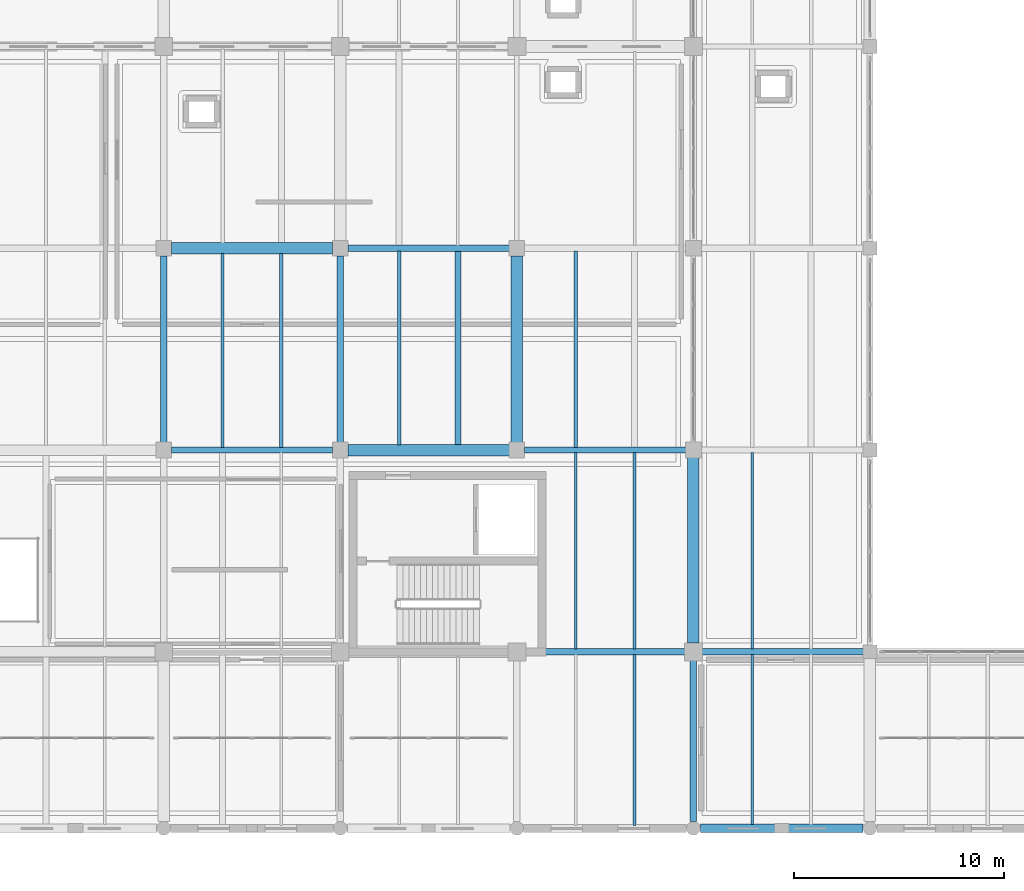
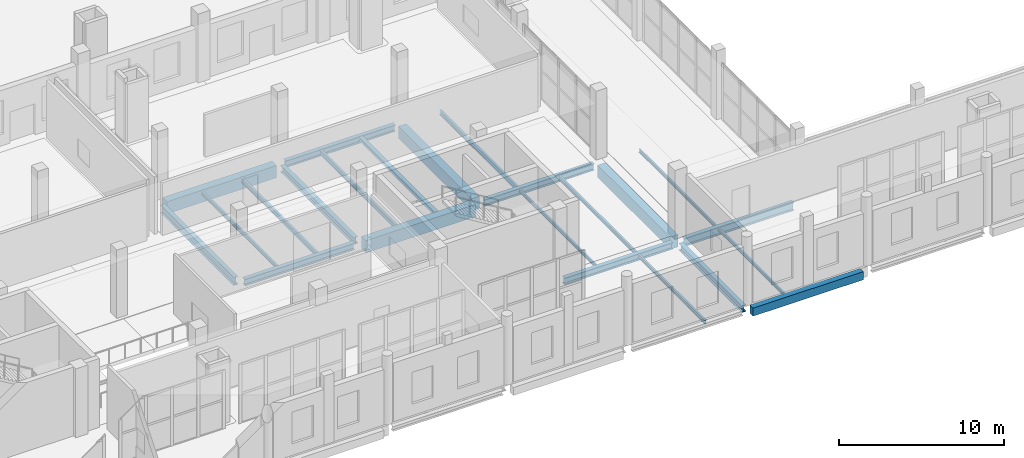
# One storey, part 10 of 73: 23 beams.
"""IFC4 building model written with IfcOpenShell, lengths in metres."""

import ifcopenshell
import ifcopenshell.guid

model = None  # the IFC model being written
_history = None  # IfcOwnerHistory: only IFC2X3 demands one
_inside = {}  # id of a spatial element -> (the spatial element, [elements in it])
_under = {}  # id of a project, library or spatial element -> (it, [spatial elements below it])
_declared = {}  # id of a project -> (the project, [libraries it declares])
_typed = {}  # id of a type object -> (the type object, [elements of that type])
_made_of = {}  # id of a material, layer set ... -> (it, [elements and type objects made of it])


def new_model(schema):
    """Start an empty IFC model of exactly this schema.

    Asked for "IFC4X3", IfcOpenShell would pick the latest addendum, in which some entities
    have other attributes; the version numbers below select the first issue.
    IFC2X3 requires an IfcOwnerHistory on every rooted entity: one is made here for all.
    """
    global model, _history
    if schema == "IFC4X3":
        model = ifcopenshell.file(schema_version=(4, 3, 0, 0))
    else:
        model = ifcopenshell.file(schema=schema)
    _inside.clear()
    _under.clear()
    _declared.clear()
    _typed.clear()
    _made_of.clear()
    _history = None
    if model.schema == "IFC2X3":
        org = make("IfcOrganization", Name="unknown")
        user = make(
            "IfcPersonAndOrganization",
            ThePerson=make("IfcPerson", FamilyName="unknown"),
            TheOrganization=org,
        )
        app = make(
            "IfcApplication",
            ApplicationDeveloper=org,
            Version="unknown",
            ApplicationFullName="unknown",
            ApplicationIdentifier="unknown",
        )
        _history = make(
            "IfcOwnerHistory",
            OwningUser=user,
            OwningApplication=app,
            ChangeAction="ADDED",
            CreationDate=0,
        )
    return model


def make(cls, **values):
    """One entity of the class cls with the attributes given. An attribute that is None is left unset."""
    return model.create_entity(
        cls, **{name: value for name, value in values.items() if value is not None}
    )


def rooted(cls, **values):
    """An entity with a GlobalId (a new one), such as an element, a storey or a relation."""
    return make(cls, GlobalId=ifcopenshell.guid.new(), OwnerHistory=_history, **values)


def si_unit(unit_type, name, prefix=None):
    """IfcSIUnit, for example si_unit("LENGTHUNIT", "METRE", prefix="MILLI")."""
    return make("IfcSIUnit", UnitType=unit_type, Prefix=prefix, Name=name)


def assignment(units):
    """IfcUnitAssignment: the units of a project."""
    return None if units is None else make("IfcUnitAssignment", Units=units)


def point(xyz):
    """IfcCartesianPoint."""
    return None if xyz is None else make("IfcCartesianPoint", Coordinates=xyz)


def direction(xyz):
    """IfcDirection."""
    return None if xyz is None else make("IfcDirection", DirectionRatios=xyz)


def frame(location, z_axis=None, x_axis=None):
    """IfcAxis2Placement3D, a coordinate frame: its origin and axes. An axis left out is left unset."""
    return make(
        "IfcAxis2Placement3D",
        Location=point(location),
        Axis=direction(z_axis),
        RefDirection=direction(x_axis),
    )


def frame_2d(location, x_axis=None):
    """IfcAxis2Placement2D, a coordinate frame in the plane: its origin and x axis."""
    return make(
        "IfcAxis2Placement2D", Location=point(location), RefDirection=direction(x_axis)
    )


def origin():
    """The frame at (0, 0, 0) with its axes left unset."""
    return frame((0.0, 0.0, 0.0))


def origin_2d():
    """The frame at (0, 0) in the plane with its x axis left unset."""
    return frame_2d((0.0, 0.0))


def place(relative_to, where):
    """IfcLocalPlacement: puts the frame where relative to a parent placement (None: the world)."""
    return make(
        "IfcLocalPlacement", PlacementRelTo=relative_to, RelativePlacement=where
    )


def context(
    kind, dimensions, precision=None, world=None, true_north=None, identifier=None
):
    """IfcGeometricRepresentationContext, for example the 3D "Model" context."""
    return make(
        "IfcGeometricRepresentationContext",
        ContextIdentifier=identifier,
        ContextType=kind,
        CoordinateSpaceDimension=dimensions,
        Precision=precision,
        WorldCoordinateSystem=world,
        TrueNorth=true_north,
    )


def subcontext(parent, identifier, kind, view, scale=None):
    """IfcGeometricRepresentationSubContext, for example "Body" below "Model"."""
    return make(
        "IfcGeometricRepresentationSubContext",
        ContextIdentifier=identifier,
        ContextType=kind,
        ParentContext=parent,
        TargetScale=scale,
        TargetView=view,
    )


def project(units=None, contexts=None):
    """IfcProject with its units and contexts."""
    return rooted(
        "IfcProject",
        Name="project",
        RepresentationContexts=contexts,
        UnitsInContext=assignment(units),
    )


def spatial(cls, under=None, at=None, **own):
    """A site, building, storey or space (cls), placed at a placement, below another one or the project."""
    s = rooted(cls, ObjectPlacement=at, **own)
    if under is not None:
        _under.setdefault(under.id(), (under, []))[1].append(s)
    return s


def profile(cls, at=None, kind="AREA", **sizes):
    """A parametric profile (cls). Its sizes go by their IFC names, for example OverallWidth=200.0."""
    return make(cls, ProfileType=kind, Position=at, **sizes)


def rectangle(**sizes):
    """IfcRectangleProfileDef."""
    return profile("IfcRectangleProfileDef", **sizes)


def i_section(**sizes):
    """IfcIShapeProfileDef."""
    return profile("IfcIShapeProfileDef", **sizes)


def extrude(swept, where, along, depth):
    """IfcExtrudedAreaSolid: the profile swept, set in the frame where, extruded along a direction by depth."""
    return make(
        "IfcExtrudedAreaSolid",
        SweptArea=swept,
        Position=where,
        ExtrudedDirection=direction(along),
        Depth=depth,
    )


def shape(context_of_items, identifier, shape_type, items):
    """IfcShapeRepresentation: the items that make up one representation, for example the "Body"."""
    return make(
        "IfcShapeRepresentation",
        ContextOfItems=context_of_items,
        RepresentationIdentifier=identifier,
        RepresentationType=shape_type,
        Items=items,
    )


def material(Name=None, Category=None):
    """IfcMaterial."""
    return make("IfcMaterial", Name=Name, Category=Category)


def material_profile(
    of_material, cross_section, Name=None, Category=None, Priority=None
):
    """IfcMaterialProfile: a cross section and its material."""
    return make(
        "IfcMaterialProfile",
        Name=Name,
        Material=of_material,
        Profile=cross_section,
        Priority=Priority,
        Category=Category,
    )


def profile_set(profiles, Name=None, composite=None):
    """IfcMaterialProfileSet."""
    return make(
        "IfcMaterialProfileSet",
        Name=Name,
        MaterialProfiles=profiles,
        CompositeProfile=composite,
    )


def made_of(thing, what):
    """Note that an element or type object is made of a material, layer set ...; save() writes the relation."""
    if what is not None:
        _made_of.setdefault(what.id(), (what, []))[1].append(thing)
    return thing


def type_object(cls, material=None, **own):
    """A type object (cls), such as IfcWallType, which elements share."""
    return made_of(rooted(cls, **own), material)


def element(
    cls,
    number,
    at=None,
    inside=None,
    cuts=None,
    type_object=None,
    material=None,
    context=None,
    identifier="Body",
    shape_type=None,
    held_by="IfcProductDefinitionShape",
    body=None,
    shapes=None,
    **own,
):
    """One element of the class cls, such as IfcWall. Its Tag is "e" and its number.

    at: its placement. inside: the storey or other place that contains it. cuts: it is an
    opening in that element (IfcRelVoidsElement). A single representation is given by context,
    identifier, shape_type and body (its items); several are given by shapes. held_by: the class
    of the entity that holds the representations. save() writes the other relations.
    """
    e = rooted(cls, Tag="e%d" % number, ObjectPlacement=at, **own)
    if body is not None:
        shapes = [shape(context, identifier, shape_type, body)]
    if shapes is not None:
        e.Representation = make(held_by, Representations=shapes)
    if inside is not None:
        _inside.setdefault(inside.id(), (inside, []))[1].append(e)
    if cuts is not None:
        rooted(
            "IfcRelVoidsElement", RelatingBuildingElement=cuts, RelatedOpeningElement=e
        )
    if type_object is not None:
        _typed.setdefault(type_object.id(), (type_object, []))[1].append(e)
    return made_of(e, material)


def aggregate(whole, parts):
    """IfcRelAggregates: a whole, such as a stair, and the parts it consists of."""
    return rooted("IfcRelAggregates", RelatingObject=whole, RelatedObjects=parts)


def save(model, path):
    """Write the relations noted so far, then the file.

    IfcRelAggregates (storeys below a building ...), IfcRelContainedInSpatialStructure (elements
    in a storey), IfcRelDefinesByType, IfcRelAssociatesMaterial and IfcRelDeclares: one each for
    every whole, place, type object, material and project.
    """
    for whole, parts in _under.values():
        aggregate(whole, parts)
    for where, things in _inside.values():
        rooted(
            "IfcRelContainedInSpatialStructure",
            RelatedElements=things,
            RelatingStructure=where,
        )
    for kind, things in _typed.values():
        rooted("IfcRelDefinesByType", RelatedObjects=things, RelatingType=kind)
    for what, things in _made_of.values():
        rooted("IfcRelAssociatesMaterial", RelatedObjects=things, RelatingMaterial=what)
    for by, libraries in _declared.values():
        rooted("IfcRelDeclares", RelatingContext=by, RelatedDefinitions=libraries)
    model.write(path)


model = new_model("IFC4")

# Units and contexts
model_context = context("Model", 3, precision=1e-05, world=origin(), true_north=direction((0.0, 1.0)))
body_context = subcontext(model_context, "Body", "Model", "MODEL_VIEW")
ifc_project = project(units=[si_unit("LENGTHUNIT", "METRE"), si_unit("AREAUNIT", "SQUARE_METRE"), si_unit("VOLUMEUNIT", "CUBIC_METRE"), si_unit("PLANEANGLEUNIT", "RADIAN"), si_unit("MASSUNIT", "GRAM", prefix="KILO")], contexts=[model_context])

# Site, building, storey
site_placement = place(None, origin())
site = spatial("IfcSite", under=ifc_project, at=site_placement, CompositionType="ELEMENT")
building_placement = place(site_placement, origin())
building = spatial("IfcBuilding", under=site, at=building_placement, Name="Zulmaris Art Gallery", CompositionType="ELEMENT")
storey_placement = place(building_placement, frame((0.0, 0.0, 10.5)))
storey = spatial("IfcBuildingStorey", under=building, at=storey_placement, Name="L02", CompositionType="ELEMENT", Elevation=10.5)

# Beams
ifc_material_1 = material(Name="Steel S355J2", Category="steel")
ifc_material_profile_1 = material_profile(ifc_material_1, i_section(OverallWidth=0.300048828125, OverallDepth=0.489990234375, WebThickness=0.011962890625, FlangeThickness=0.02294921875, FilletRadius=0.027099609375, at=origin_2d()), Name="HEA 500")
ifc_profile_set_1 = profile_set([ifc_material_profile_1], Name="Steel S355J2")
beam_type_1 = type_object("IfcBeamType", Name="BEAM-BM11", PredefinedType="BEAM", material=ifc_profile_set_1)
beam_1_placement = place(storey_placement, frame((74.81005859375, 21.60009765625, -0.64501953125), z_axis=(1.0, 0.0, 0.0), x_axis=(0.0, 1.0, 0.0)))
element("IfcBeam", 1, at=beam_1_placement, inside=storey, type_object=beam_type_1, Name="L02 X-girder (74.4..82.8, y=21.6)", PredefinedType="BEAM", context=body_context, shape_type="SweptSolid", body=[
    extrude(i_section(OverallWidth=0.300048828125, OverallDepth=0.489990234375, WebThickness=0.011962890625, FlangeThickness=0.02294921875, FilletRadius=0.027099609375, at=origin_2d()), origin(), (0.0, 0.0, 1.0), 7.579833984375),
])
for number, where, z_axis, x_axis, name in (
    (2, (74.760009765625, 31.199951171875, -0.64501953125), (1.0, 0.0, 0.0), (0.0, 1.0, 0.0), "L02 X-girder (74.4..82.8, y=31.2)"),
    (3, (66.360107421875, 40.800048828125, -0.64501953125), (1.0, 0.0, 0.0), (0.0, 1.0, 0.0), "L02 X-girder (66.0..74.4, y=40.8)"),
):
    element("IfcBeam", number, at=place(storey_placement, frame(where, z_axis=z_axis, x_axis=x_axis)), inside=storey, type_object=beam_type_1, Name=name, PredefinedType="BEAM", context=body_context, shape_type="SweptSolid", body=[
        extrude(i_section(OverallWidth=0.300048828125, OverallDepth=0.489990234375, WebThickness=0.011962890625, FlangeThickness=0.02294921875, FilletRadius=0.027099609375, at=origin_2d()), origin(), (0.0, 0.0, 1.0), 7.679931640625),
    ])
ifc_material_profile_2 = material_profile(ifc_material_1, i_section(OverallWidth=0.300048828125, OverallDepth=0.5, WebThickness=0.014404296875, FlangeThickness=0.028076171875, FilletRadius=0.027099609375, at=origin_2d()), Name="HEB 500")
ifc_profile_set_2 = profile_set([ifc_material_profile_2], Name="Steel S355J2")
beam_type_2 = type_object("IfcBeamType", Name="BEAM-BM14", PredefinedType="BEAM", material=ifc_profile_set_2)
beam_2_placement = place(storey_placement, frame((57.9599609375, 31.199951171875, -0.64990234375), z_axis=(1.0, 0.0, 0.0), x_axis=(0.0, 1.0, 0.0)))
element("IfcBeam", 4, at=beam_2_placement, inside=storey, type_object=beam_type_2, Name="L02 X-girder (57.6..66.0, y=31.2)", PredefinedType="BEAM", context=body_context, shape_type="SweptSolid", body=[
    extrude(i_section(OverallWidth=0.300048828125, OverallDepth=0.5, WebThickness=0.014404296875, FlangeThickness=0.028076171875, FilletRadius=0.027099609375, at=origin_2d()), origin(), (0.0, 0.0, 1.0), 7.679931640625),
])
beam_3_placement = place(storey_placement, frame((66.0, 31.56005859375, -0.64501953125), z_axis=(0.0, 1.0, 0.0), x_axis=(-1.0, 0.0, 0.0)))
element("IfcBeam", 5, at=beam_3_placement, inside=storey, type_object=beam_type_2, Name="L02 Y-girder (x=66.0, 31.2..40.8)", PredefinedType="BEAM", context=body_context, shape_type="SweptSolid", body=[
    extrude(i_section(OverallWidth=0.300048828125, OverallDepth=0.5, WebThickness=0.014404296875, FlangeThickness=0.028076171875, FilletRadius=0.027099609375, at=origin_2d()), origin(), (0.0, 0.0, 1.0), 8.8798828125),
])
beam_4_placement = place(storey_placement, frame((82.800048828125, 13.534912109375, -0.64501953125), z_axis=(0.0, 1.0, 0.0), x_axis=(-1.0, 0.0, 0.0)))
element("IfcBeam", 6, at=beam_4_placement, inside=storey, type_object=beam_type_2, Name="L02 Y-girder (x=82.8, 13.2..21.6)", PredefinedType="BEAM", context=body_context, shape_type="SweptSolid", body=[
    extrude(i_section(OverallWidth=0.300048828125, OverallDepth=0.5, WebThickness=0.014404296875, FlangeThickness=0.028076171875, FilletRadius=0.027099609375, at=origin_2d()), origin(), (0.0, 0.0, 1.0), 7.655029296875),
])
ifc_material_profile_3 = material_profile(ifc_material_1, i_section(OverallWidth=0.300048828125, OverallDepth=0.60009765625, WebThickness=0.015380859375, FlangeThickness=0.030029296875, FilletRadius=0.027099609375, at=origin_2d()), Name="HEB 600")
ifc_profile_set_3 = profile_set([ifc_material_profile_3], Name="Steel S355J2")
beam_type_3 = type_object("IfcBeamType", Name="BEAM-BM15", PredefinedType="BEAM", material=ifc_profile_set_3)
beam_5_placement = place(storey_placement, frame((83.2099609375, 21.60009765625, -0.699951171875), z_axis=(1.0, 0.0, 0.0), x_axis=(0.0, 1.0, 0.0)))
element("IfcBeam", 7, at=beam_5_placement, inside=storey, type_object=beam_type_3, Name="L02 X-girder (82.8..91.2, y=21.6)", PredefinedType="BEAM", context=body_context, shape_type="SweptSolid", body=[
    extrude(i_section(OverallWidth=0.300048828125, OverallDepth=0.60009765625, WebThickness=0.015380859375, FlangeThickness=0.030029296875, FilletRadius=0.027099609375, at=origin_2d()), origin(), (0.0, 0.0, 1.0), 7.679931640625),
])
beam_6_placement = place(storey_placement, frame((57.60009765625, 31.56005859375, -0.699951171875), z_axis=(0.0, 1.0, 0.0), x_axis=(-1.0, 0.0, 0.0)))
element("IfcBeam", 8, at=beam_6_placement, inside=storey, type_object=beam_type_3, Name="L02 Y-girder (x=57.6, 31.2..40.8)", PredefinedType="BEAM", context=body_context, shape_type="SweptSolid", body=[
    extrude(i_section(OverallWidth=0.300048828125, OverallDepth=0.60009765625, WebThickness=0.015380859375, FlangeThickness=0.030029296875, FilletRadius=0.027099609375, at=origin_2d()), origin(), (0.0, 0.0, 1.0), 8.8798828125),
])
ifc_material_2 = material(Name="Concrete C40/50", Category="concrete")
ifc_material_profile_4 = material_profile(ifc_material_2, rectangle(XDim=0.550048828125, YDim=0.89990234375, at=origin_2d()), Name="RC 550x900")
ifc_profile_set_4 = profile_set([ifc_material_profile_4], Name="Concrete C40/50")
beam_type_4 = type_object("IfcBeamType", Name="BEAM-BM21", PredefinedType="BEAM", material=ifc_profile_set_4)
for number, where, z_axis, x_axis, name in (
    (9, (66.360107421875, 31.199951171875, -0.85009765625), (1.0, 0.0, 0.0), (0.0, 1.0, 0.0), "L02 X-girder (66.0..74.4, y=31.2)"),
    (10, (57.9599609375, 40.800048828125, -0.85009765625), (1.0, 0.0, 0.0), (0.0, 1.0, 0.0), "L02 X-girder (57.6..66.0, y=40.8)"),
):
    element("IfcBeam", number, at=place(storey_placement, frame(where, z_axis=z_axis, x_axis=x_axis)), inside=storey, type_object=beam_type_4, Name=name, PredefinedType="BEAM", context=body_context, shape_type="SweptSolid", body=[
        extrude(rectangle(XDim=0.550048828125, YDim=0.89990234375, at=origin_2d()), origin(), (0.0, 0.0, 1.0), 7.679931640625),
    ])
beam_7_placement = place(storey_placement, frame((74.39990234375, 31.56005859375, -0.85009765625), z_axis=(0.0, 1.0, 0.0), x_axis=(-1.0, 0.0, 0.0)))
element("IfcBeam", 11, at=beam_7_placement, inside=storey, type_object=beam_type_4, Name="L02 Y-girder (x=74.4, 31.2..40.8)", PredefinedType="BEAM", context=body_context, shape_type="SweptSolid", body=[
    extrude(rectangle(XDim=0.550048828125, YDim=0.89990234375, at=origin_2d()), origin(), (0.0, 0.0, 1.0), 8.8798828125),
])
beam_8_placement = place(storey_placement, frame((82.800048828125, 22.010009765625, -0.85009765625), z_axis=(0.0, 1.0, 0.0), x_axis=(-1.0, 0.0, 0.0)))
element("IfcBeam", 12, at=beam_8_placement, inside=storey, type_object=beam_type_4, Name="L02 Y-girder (x=82.8, 21.6..31.2)", PredefinedType="BEAM", context=body_context, shape_type="SweptSolid", body=[
    extrude(rectangle(XDim=0.550048828125, YDim=0.89990234375, at=origin_2d()), origin(), (0.0, 0.0, 1.0), 8.830078125),
])
ifc_material_profile_5 = material_profile(ifc_material_1, i_section(OverallWidth=0.1201171875, OverallDepth=0.239990234375, WebThickness=0.006103515625, FlangeThickness=0.009765625, FilletRadius=0.014892578125, at=origin_2d()), Name="IPE 240")
ifc_profile_set_5 = profile_set([ifc_material_profile_5], Name="Steel S355J2")
beam_type_5 = type_object("IfcBeamType", Name="BEAM-JS01", PredefinedType="JOIST", material=ifc_profile_set_5)
beam_9_placement = place(storey_placement, frame((77.199951171875, 21.72509765625, -0.52001953125), z_axis=(0.0, 1.0, 0.0), x_axis=(-1.0, 0.0, 0.0)))
element("IfcBeam", 13, at=beam_9_placement, inside=storey, type_object=beam_type_5, Name="L02 secondary joist at x=77.2", PredefinedType="JOIST", context=body_context, shape_type="SweptSolid", body=[
    extrude(i_section(OverallWidth=0.1201171875, OverallDepth=0.239990234375, WebThickness=0.006103515625, FlangeThickness=0.009765625, FilletRadius=0.014892578125, at=origin_2d()), origin(), (0.0, 0.0, 1.0), 9.349853515625),
])
beam_10_placement = place(storey_placement, frame((85.60009765625, 13.375, -0.52001953125), z_axis=(0.0, 1.0, 0.0), x_axis=(-1.0, 0.0, 0.0)))
element("IfcBeam", 14, at=beam_10_placement, inside=storey, type_object=beam_type_5, Name="L02 secondary joist at x=85.6", PredefinedType="JOIST", context=body_context, shape_type="SweptSolid", body=[
    extrude(i_section(OverallWidth=0.1201171875, OverallDepth=0.239990234375, WebThickness=0.006103515625, FlangeThickness=0.009765625, FilletRadius=0.014892578125, at=origin_2d()), origin(), (0.0, 0.0, 1.0), 8.10009765625),
])
beam_11_placement = place(storey_placement, frame((85.60009765625, 21.72509765625, -0.52001953125), z_axis=(0.0, 1.0, 0.0), x_axis=(-1.0, 0.0, 0.0)))
element("IfcBeam", 15, at=beam_11_placement, inside=storey, type_object=beam_type_5, Name="L02 secondary joist at x=85.6", PredefinedType="JOIST", context=body_context, shape_type="SweptSolid", body=[
    extrude(i_section(OverallWidth=0.1201171875, OverallDepth=0.239990234375, WebThickness=0.006103515625, FlangeThickness=0.009765625, FilletRadius=0.014892578125, at=origin_2d()), origin(), (0.0, 0.0, 1.0), 9.349853515625),
])
ifc_material_profile_6 = material_profile(ifc_material_1, i_section(OverallWidth=0.135009765625, OverallDepth=0.27001953125, WebThickness=0.006591796875, FlangeThickness=0.01025390625, FilletRadius=0.014892578125, at=origin_2d()), Name="IPE 270")
ifc_profile_set_6 = profile_set([ifc_material_profile_6], Name="Steel S355J2")
beam_type_6 = type_object("IfcBeamType", Name="BEAM-JS02", PredefinedType="JOIST", material=ifc_profile_set_6)
beam_12_placement = place(storey_placement, frame((60.39990234375, 31.324951171875, -0.534912109375), z_axis=(0.0, 1.0, 0.0), x_axis=(-1.0, 0.0, 0.0)))
element("IfcBeam", 16, at=beam_12_placement, inside=storey, type_object=beam_type_6, Name="L02 secondary joist at x=60.4", PredefinedType="JOIST", context=body_context, shape_type="SweptSolid", body=[
    extrude(i_section(OverallWidth=0.135009765625, OverallDepth=0.27001953125, WebThickness=0.006591796875, FlangeThickness=0.01025390625, FilletRadius=0.014892578125, at=origin_2d()), origin(), (0.0, 0.0, 1.0), 9.22509765625),
])
beam_13_placement = place(storey_placement, frame((80.0, 13.324951171875, -0.534912109375), z_axis=(0.0, 1.0, 0.0), x_axis=(-1.0, 0.0, 0.0)))
element("IfcBeam", 17, at=beam_13_placement, inside=storey, type_object=beam_type_6, Name="L02 secondary joist at x=80.0", PredefinedType="JOIST", context=body_context, shape_type="SweptSolid", body=[
    extrude(i_section(OverallWidth=0.135009765625, OverallDepth=0.27001953125, WebThickness=0.006591796875, FlangeThickness=0.01025390625, FilletRadius=0.014892578125, at=origin_2d()), origin(), (0.0, 0.0, 1.0), 8.150146484375),
])
beam_14_placement = place(storey_placement, frame((80.0, 21.72509765625, -0.534912109375), z_axis=(0.0, 1.0, 0.0), x_axis=(-1.0, 0.0, 0.0)))
element("IfcBeam", 18, at=beam_14_placement, inside=storey, type_object=beam_type_6, Name="L02 secondary joist at x=80.0", PredefinedType="JOIST", context=body_context, shape_type="SweptSolid", body=[
    extrude(i_section(OverallWidth=0.135009765625, OverallDepth=0.27001953125, WebThickness=0.006591796875, FlangeThickness=0.01025390625, FilletRadius=0.014892578125, at=origin_2d()), origin(), (0.0, 0.0, 1.0), 9.349853515625),
])
ifc_material_profile_7 = material_profile(ifc_material_1, i_section(OverallWidth=0.159912109375, OverallDepth=0.330078125, WebThickness=0.007568359375, FlangeThickness=0.011474609375, FilletRadius=0.01806640625, at=origin_2d()), Name="IPE 330")
ifc_profile_set_7 = profile_set([ifc_material_profile_7], Name="Steel S355J2")
beam_type_7 = type_object("IfcBeamType", Name="BEAM-JS03", PredefinedType="JOIST", material=ifc_profile_set_7)
for number, where, z_axis, x_axis, name in (
    (19, (63.199951171875, 31.324951171875, -0.56494140625), (0.0, 1.0, 0.0), (-1.0, 0.0, 0.0), "L02 secondary joist at x=63.2"),
    (20, (68.800048828125, 31.449951171875, -0.56494140625), (0.0, 1.0, 0.0), (-1.0, 0.0, 0.0), "L02 secondary joist at x=68.8"),
):
    element("IfcBeam", number, at=place(storey_placement, frame(where, z_axis=z_axis, x_axis=x_axis)), inside=storey, type_object=beam_type_7, Name=name, PredefinedType="JOIST", context=body_context, shape_type="SweptSolid", body=[
        extrude(i_section(OverallWidth=0.159912109375, OverallDepth=0.330078125, WebThickness=0.007568359375, FlangeThickness=0.011474609375, FilletRadius=0.01806640625, at=origin_2d()), origin(), (0.0, 0.0, 1.0), 9.22509765625),
    ])
beam_15_placement = place(storey_placement, frame((77.199951171875, 31.324951171875, -0.56494140625), z_axis=(0.0, 1.0, 0.0), x_axis=(-1.0, 0.0, 0.0)))
element("IfcBeam", 21, at=beam_15_placement, inside=storey, type_object=beam_type_7, Name="L02 secondary joist at x=77.2", PredefinedType="JOIST", context=body_context, shape_type="SweptSolid", body=[
    extrude(i_section(OverallWidth=0.159912109375, OverallDepth=0.330078125, WebThickness=0.007568359375, FlangeThickness=0.011474609375, FilletRadius=0.01806640625, at=origin_2d()), origin(), (0.0, 0.0, 1.0), 9.35009765625),
])
ifc_material_profile_8 = material_profile(ifc_material_1, i_section(OverallWidth=0.280029296875, OverallDepth=0.27001953125, WebThickness=0.008056640625, FlangeThickness=0.012939453125, FilletRadius=0.02392578125, at=origin_2d()), Name="HEA 280")
ifc_profile_set_8 = profile_set([ifc_material_profile_8], Name="Steel S355J2")
beam_type_8 = type_object("IfcBeamType", Name="BEAM-JS04", PredefinedType="JOIST", material=ifc_profile_set_8)
beam_16_placement = place(storey_placement, frame((71.60009765625, 31.449951171875, -0.534912109375), z_axis=(0.0, 1.0, 0.0), x_axis=(-1.0, 0.0, 0.0)))
element("IfcBeam", 22, at=beam_16_placement, inside=storey, type_object=beam_type_8, Name="L02 secondary joist at x=71.6", PredefinedType="JOIST", context=body_context, shape_type="SweptSolid", body=[
    extrude(i_section(OverallWidth=0.280029296875, OverallDepth=0.27001953125, WebThickness=0.008056640625, FlangeThickness=0.012939453125, FilletRadius=0.02392578125, at=origin_2d()), origin(), (0.0, 0.0, 1.0), 9.22509765625),
])
ifc_material_profile_9 = material_profile(ifc_material_2, rectangle(XDim=0.39990234375, YDim=0.60009765625, at=origin_2d()), Name="RC 400x600")
ifc_profile_set_9 = profile_set([ifc_material_profile_9], Name="Concrete C40/50")
beam_type_9 = type_object("IfcBeamType", Name="BEAM-SP03", PredefinedType="SPANDREL", material=ifc_profile_set_9)
beam_17_placement = place(storey_placement, frame((83.135009765625, 13.199951171875, -0.699951171875), z_axis=(1.0, 0.0, 0.0), x_axis=(0.0, 1.0, 0.0)))
element("IfcBeam", 23, at=beam_17_placement, inside=storey, type_object=beam_type_9, Name="L02 X-girder (82.8..91.2, y=13.2)", PredefinedType="SPANDREL", context=body_context, shape_type="SweptSolid", body=[
    extrude(rectangle(XDim=0.39990234375, YDim=0.60009765625, at=origin_2d()), origin(), (0.0, 0.0, 1.0), 7.72998046875),
])

save(model, "model.ifc")
